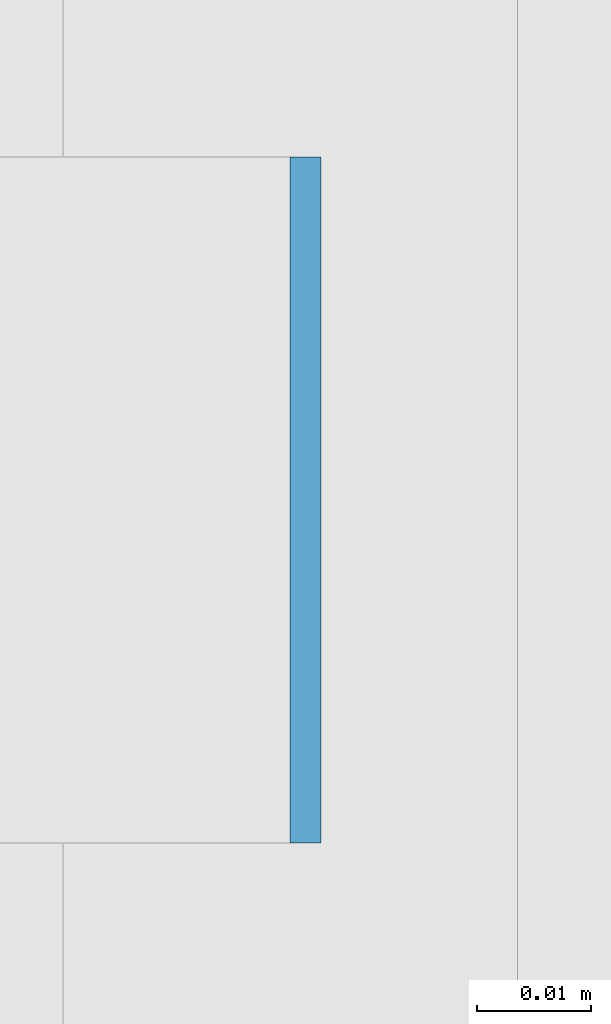
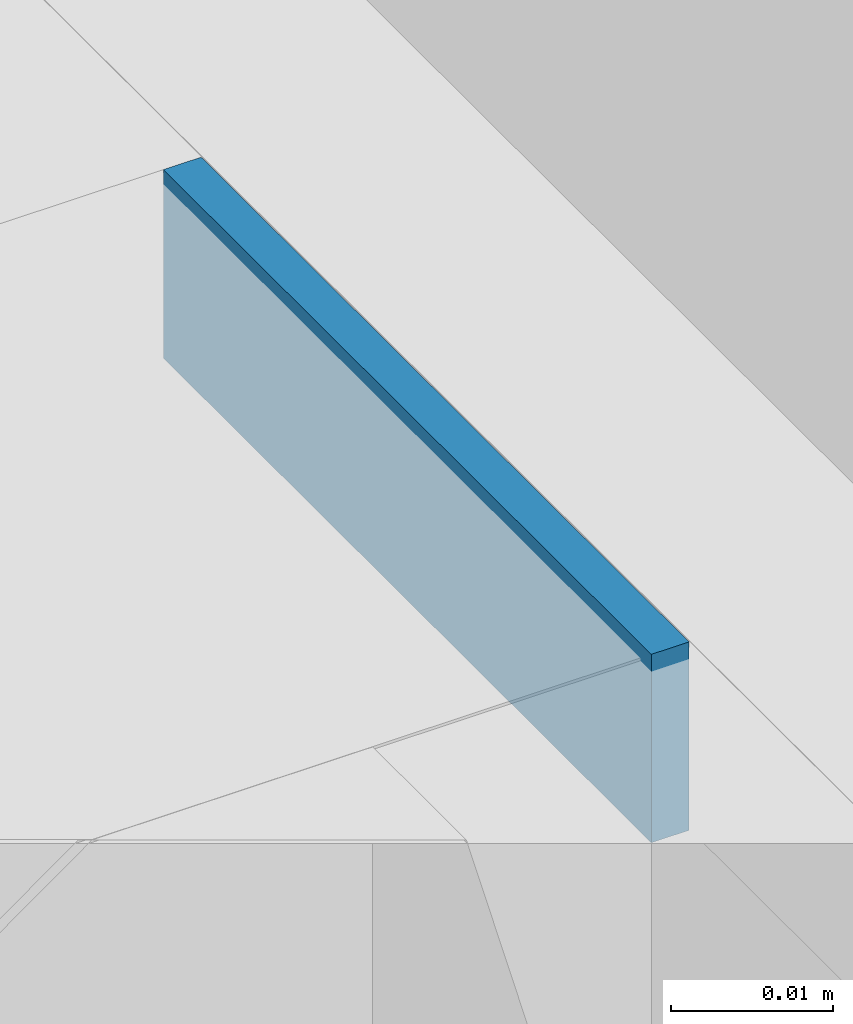
# One storey, part 279 of 646: 1 discrete accessory.
"""IFC4 building model written with IfcOpenShell, lengths in metres."""

from ifc_helpers import new_model, si_unit, direction, frame, origin, origin_2d, place, context, subcontext, project, spatial, rectangle, extrude, material, type_object, element, save


model = new_model("IFC4")

# Units and contexts
model_context = context("Model", 3, precision=1e-05, world=origin(), true_north=direction((0.0, 1.0)))
body_context = subcontext(model_context, "Body", "Model", "MODEL_VIEW")
ifc_project = project(units=[si_unit("LENGTHUNIT", "METRE"), si_unit("AREAUNIT", "SQUARE_METRE"), si_unit("VOLUMEUNIT", "CUBIC_METRE"), si_unit("PLANEANGLEUNIT", "RADIAN"), si_unit("MASSUNIT", "GRAM", prefix="KILO")], contexts=[model_context])

# Site, building, storey
site_placement = place(None, origin())
site = spatial("IfcSite", under=ifc_project, at=site_placement, CompositionType="ELEMENT")
building_placement = place(site_placement, origin())
building = spatial("IfcBuilding", under=site, at=building_placement, Name="Silverbay Arena", CompositionType="ELEMENT")
storey_placement = place(building_placement, frame((0.0, 0.0, 33.5)))
storey = spatial("IfcBuildingStorey", under=building, at=storey_placement, Name="L05", CompositionType="ELEMENT", Elevation=33.5)

# Discrete accessory
ifc_material = material(Name="Steel S355", Category="steel")
discrete_accessory_type = type_object("IfcDiscreteAccessoryType", Name="Steel bracket plate", PredefinedType="BRACKET", material=ifc_material)
discrete_accessory_placement = place(storey_placement, frame((53.871337890625, 51.428466796875, 12.98583984375), z_axis=(0.0, 0.0, 1.0), x_axis=(1.0, 0.0, 0.0)))
element("IfcDiscreteAccessory", 1, at=discrete_accessory_placement, inside=storey, type_object=discrete_accessory_type, Name="Curtain wall packing plate", PredefinedType="BRACKET", context=body_context, shape_type="SweptSolid", body=[
    extrude(rectangle(XDim=0.002685546875, YDim=0.06005859375, at=origin_2d()), origin(), (0.0, 0.0, 1.0), 0.01416015625),
])

save(model, "model.ifc")
